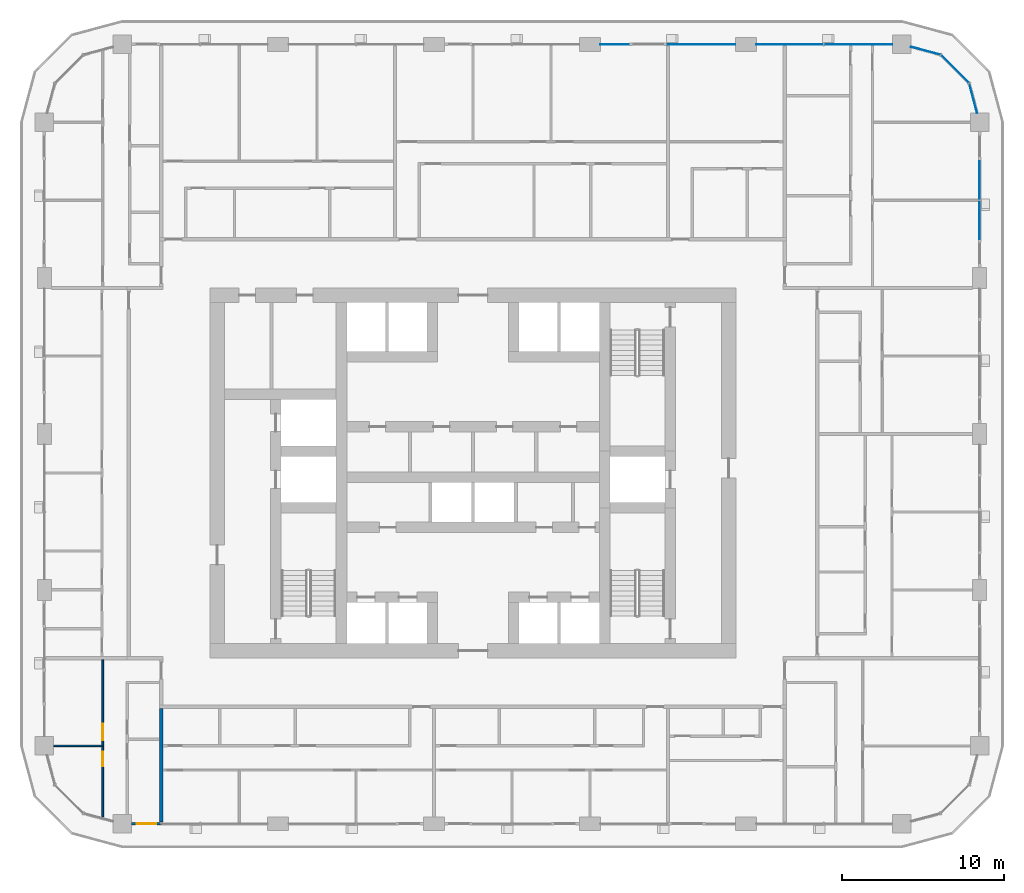
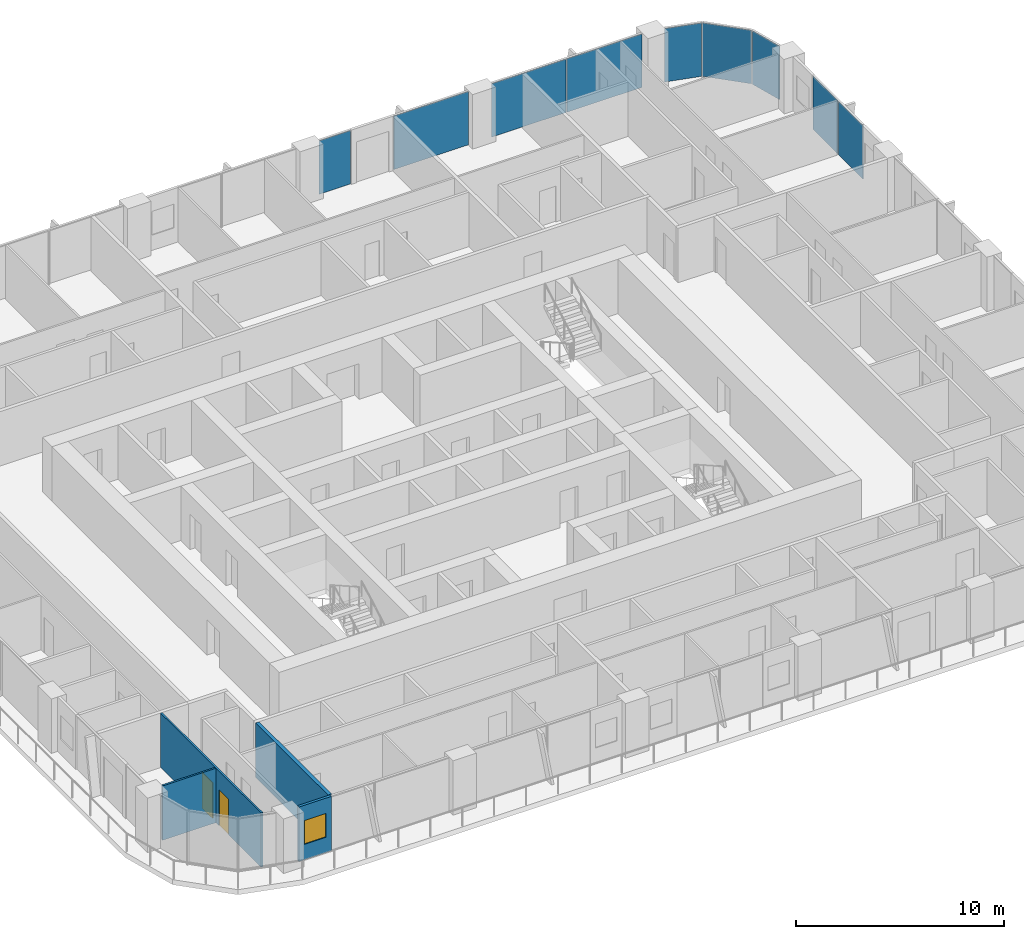
# One storey, part 8 of 21: 9 plates, 4 walls, 2 doors, 1 window, 3 openings, 4 elements without a shape of their own.
"""IFC4 building model written with IfcOpenShell, lengths in metres."""

from ifc_helpers import new_model, si_unit, direction, frame, frame_2d, origin, origin_2d, place, context, subcontext, project, spatial, rectangle, extrude, material, layer, layer_set, type_object, element, fill, aggregate, save


model = new_model("IFC4")

# Units and contexts
model_context = context("Model", 3, precision=1e-05, world=origin(), true_north=direction((0.0, 1.0)))
body_context = subcontext(model_context, "Body", "Model", "MODEL_VIEW")
ifc_project = project(units=[si_unit("LENGTHUNIT", "METRE"), si_unit("AREAUNIT", "SQUARE_METRE"), si_unit("VOLUMEUNIT", "CUBIC_METRE"), si_unit("PLANEANGLEUNIT", "RADIAN"), si_unit("MASSUNIT", "GRAM", prefix="KILO")], contexts=[model_context])

# Site, building, storey
site_placement = place(None, origin())
site = spatial("IfcSite", under=ifc_project, at=site_placement, CompositionType="ELEMENT")
building_placement = place(site_placement, origin())
building = spatial("IfcBuilding", under=site, at=building_placement, Name="Madar Terraces", CompositionType="ELEMENT")
storey_placement = place(building_placement, frame((0.0, 0.0, 92.699951171875)))
storey = spatial("IfcBuildingStorey", under=building, at=storey_placement, Name="L23", CompositionType="ELEMENT", Elevation=92.699951171875)

# Curtain wall, plates
ifc_material_1 = material(Name="Glass, ceramic frit dark grey, with black aluminium frame", Category="aluminium")
ifc_layer_1 = layer(ifc_material_1, 0.199951171875)
ifc_layer_set_1 = layer_set([ifc_layer_1], Name="Facade curtain wall, fritted glass")
curtain_wall_type = type_object("IfcCurtainWallType", Name="Facade curtain wall, fritted glass", PredefinedType="NOTDEFINED", material=ifc_layer_set_1)
curtain_wall_1_placement = place(storey_placement, origin())
curtain_wall_1 = element("IfcCurtainWall", 1, at=curtain_wall_1_placement, inside=storey, type_object=curtain_wall_type, Name="Outer skin curtain wall east bay 4", PredefinedType="NOTDEFINED")
ifc_material_2 = material(Name="Glass, ceramic frit dark grey", Category="glass")
ifc_layer_2 = layer(ifc_material_2, 0.028076171875)
ifc_layer_set_2 = layer_set([ifc_layer_2], Name="Facade glass panel 28")
plate_type = type_object("IfcPlateType", Name="Facade glass panel 28", PredefinedType="CURTAIN_PANEL", material=ifc_layer_set_2)
plate_1_placement = place(storey_placement, frame((62.39990234375, 41.985107421875, 0.0), z_axis=(0.0, 0.0, 1.0), x_axis=(0.0, 1.0, 0.0)))
plate_1 = element("IfcPlate", 2, at=plate_1_placement, type_object=plate_type, Name="Panel 1", PredefinedType="CURTAIN_PANEL", context=body_context, shape_type="SweptSolid", body=[
    extrude(rectangle(XDim=2.3701171875, YDim=0.028076171875, at=origin_2d()), origin(), (0.0, 0.0, 1.0), 3.139892578125),
])
plate_2_placement = place(storey_placement, frame((62.39990234375, 44.4150390625, 0.0), z_axis=(0.0, 0.0, 1.0), x_axis=(0.0, 1.0, 0.0)))
plate_2 = element("IfcPlate", 3, at=plate_2_placement, type_object=plate_type, Name="Panel 2", PredefinedType="CURTAIN_PANEL", context=body_context, shape_type="SweptSolid", body=[
    extrude(rectangle(XDim=2.3701171875, YDim=0.028076171875, at=origin_2d()), origin(), (0.0, 0.0, 1.0), 3.139892578125),
])
aggregate(curtain_wall_1, [plate_1, plate_2])

curtain_wall_2_placement = place(storey_placement, origin())
curtain_wall_2 = element("IfcCurtainWall", 4, at=curtain_wall_2_placement, inside=storey, type_object=curtain_wall_type, Name="Outer skin curtain wall north bay 1", PredefinedType="NOTDEFINED")
plate_3_placement = place(storey_placement, frame((54.927490234375, 52.800048828125, 0.0), z_axis=(0.0, 0.0, 1.0), x_axis=(-1.0, 0.0, 0.0)))
plate_3 = element("IfcPlate", 5, at=plate_3_placement, type_object=plate_type, Name="Panel 1", PredefinedType="CURTAIN_PANEL", context=body_context, shape_type="SweptSolid", body=[
    extrude(rectangle(XDim=4.195068359375, YDim=0.028076171875, at=origin_2d()), origin(), (0.0, 0.0, 1.0), 3.139892578125),
])
plate_4_placement = place(storey_placement, frame((50.7099609375, 52.800048828125, 0.0), z_axis=(0.0, 0.0, 1.0), x_axis=(-1.0, 0.0, 0.0)))
plate_4 = element("IfcPlate", 6, at=plate_4_placement, type_object=plate_type, Name="Panel 2", PredefinedType="CURTAIN_PANEL", context=body_context, shape_type="SweptSolid", body=[
    extrude(rectangle(XDim=4.1201171875, YDim=0.028076171875, at=origin_2d()), origin(), (0.0, 0.0, 1.0), 3.139892578125),
])
aggregate(curtain_wall_2, [plate_3, plate_4])

curtain_wall_3_placement = place(storey_placement, origin())
curtain_wall_3 = element("IfcCurtainWall", 7, at=curtain_wall_3_placement, inside=storey, type_object=curtain_wall_type, Name="Outer skin curtain wall north bay 2", PredefinedType="NOTDEFINED")
plate_5_placement = place(storey_placement, frame((45.27490234375, 52.800048828125, 0.0), z_axis=(0.0, 0.0, 1.0), x_axis=(-1.0, 0.0, 0.0)))
plate_5 = element("IfcPlate", 8, at=plate_5_placement, type_object=plate_type, Name="Panel 1", PredefinedType="CURTAIN_PANEL", context=body_context, shape_type="SweptSolid", body=[
    extrude(rectangle(XDim=4.14990234375, YDim=0.028076171875, at=origin_2d()), origin(), (0.0, 0.0, 1.0), 3.139892578125),
])
plate_6_placement = place(storey_placement, frame((39.925048828125, 52.800048828125, 0.0), z_axis=(0.0, 0.0, 1.0), x_axis=(-1.0, 0.0, 0.0)))
plate_6 = element("IfcPlate", 9, at=plate_6_placement, type_object=plate_type, Name="Panel 2", PredefinedType="CURTAIN_PANEL", context=body_context, shape_type="SweptSolid", body=[
    extrude(rectangle(XDim=1.75, YDim=0.028076171875, at=origin_2d()), origin(), (0.0, 0.0, 1.0), 3.139892578125),
])
aggregate(curtain_wall_3, [plate_5, plate_6])

curtain_wall_4_placement = place(storey_placement, origin())
curtain_wall_4 = element("IfcCurtainWall", 10, at=curtain_wall_4_placement, inside=storey, type_object=curtain_wall_type, Name="Outer skin curtain wall north-east corner", PredefinedType="NOTDEFINED")
plate_7_placement = place(storey_placement, frame((62.00537109375, 49.472900390625, 0.0), z_axis=(0.0, 0.0, 1.0), x_axis=(-0.258819021888, 0.965925832509, 0.0)))
plate_7 = element("IfcPlate", 11, at=plate_7_placement, type_object=plate_type, Name="Panel 1", PredefinedType="CURTAIN_PANEL", context=body_context, shape_type="SweptSolid", body=[
    extrude(rectangle(XDim=1.859375, YDim=0.028076171875, at=origin_2d()), origin(), (0.0, 0.0, 1.0), 3.139892578125),
])
plate_8_placement = place(storey_placement, frame((60.87841796875, 51.278564453125, 0.0), z_axis=(0.0, 0.0, 1.0), x_axis=(-0.707106781187, 0.707106781187, 0.0)))
plate_8 = element("IfcPlate", 12, at=plate_8_placement, type_object=plate_type, Name="Panel 2", PredefinedType="CURTAIN_PANEL", context=body_context, shape_type="SweptSolid", body=[
    extrude(rectangle(XDim=2.424560546875, YDim=0.028076171875, at=origin_2d()), origin(), (0.0, 0.0, 1.0), 3.139892578125),
])
plate_9_placement = place(storey_placement, frame((59.072998046875, 52.4052734375, 0.0), z_axis=(0.0, 0.0, 1.0), x_axis=(-0.965925832509, 0.258819021888, 0.0)))
plate_9 = element("IfcPlate", 13, at=plate_9_placement, type_object=plate_type, Name="Panel 3", PredefinedType="CURTAIN_PANEL", context=body_context, shape_type="SweptSolid", body=[
    extrude(rectangle(XDim=1.859375, YDim=0.028076171875, at=origin_2d()), origin(), (0.0, 0.0, 1.0), 3.139892578125),
])
aggregate(curtain_wall_4, [plate_7, plate_8, plate_9])

# Wall, opening, window
ifc_material_3 = material(Name="Aluminium composite panel, black, over insulated backing", Category="aluminium")
ifc_layer_3 = layer(ifc_material_3, 0.14990234375)
ifc_layer_set_3 = layer_set([ifc_layer_3], Name="Facade bay panel 150")
wall_type_1 = type_object("IfcWallType", Name="Facade bay panel 150", PredefinedType="SOLIDWALL", material=ifc_layer_set_3)
wall_1_placement = place(storey_placement, frame((10.175048828125, 4.800048828125, 0.0), z_axis=(0.0, 0.0, 1.0), x_axis=(1.0, 0.0, 0.0)))
wall_1 = element("IfcWall", 14, at=wall_1_placement, inside=storey, type_object=wall_type_1, Name="Facade bay panel", PredefinedType="SOLIDWALL", context=body_context, shape_type="SweptSolid", body=[
    extrude(rectangle(XDim=1.824951171875, YDim=0.14990234375, at=frame_2d((0.91259765625, 0.0))), origin(), (0.0, 0.0, 1.0), 3.199951171875),
])
opening_1_placement = place(wall_1_placement, frame((0.3125, 0.0, 0.89990234375)))
opening_1 = element("IfcOpeningElement", 15, at=opening_1_placement, cuts=wall_1, Name="Opening W1", PredefinedType="OPENING", context=body_context, shape_type="SweptSolid", body=[
    extrude(rectangle(XDim=1.199951171875, YDim=1.39990234375, at=frame_2d((0.60009765625, 0.699951171875))), frame((0.0, 0.0849609375, 0.0), z_axis=(0.0, -1.0, 0.0), x_axis=(1.0, 0.0, 0.0)), (0.0, 0.0, 1.0), 0.169921875),
])
ifc_material_4 = material(Name="Glass, clear, with black aluminium frame", Category="aluminium")
window_type = type_object("IfcWindowType", Name="Vent window 1200 x 1400", PartitioningType="SINGLE_PANEL", PredefinedType="WINDOW", material=ifc_material_4)
window_placement = place(opening_1_placement, origin())
window = element("IfcWindow", 16, at=window_placement, inside=storey, type_object=window_type, Name="Operable vent window", OverallHeight=1.39990234375, OverallWidth=1.199951171875, PartitioningType="SINGLE_PANEL", PredefinedType="WINDOW", context=body_context, shape_type="SweptSolid", body=[
    extrude(rectangle(XDim=1.199951171875, YDim=1.39990234375, at=frame_2d((0.60009765625, 0.699951171875))), frame((0.0, 0.030029296875, 0.0), z_axis=(0.0, -1.0, 0.0), x_axis=(1.0, 0.0, 0.0)), (0.0, 0.0, 1.0), 0.06005859375),
])
fill(opening_1, window)

# Wall
ifc_material_5 = material(Name="Gypsum board on steel studs", Category="steel")
ifc_layer_4 = layer(ifc_material_5, 0.10009765625)
ifc_layer_set_4 = layer_set([ifc_layer_4], Name="Flat partition 100")
wall_type_2 = type_object("IfcWallType", Name="Flat partition 100", PredefinedType="PARTITIONING", material=ifc_layer_set_4)
wall_2_placement = place(storey_placement, frame((8.35009765625, 9.60009765625, 0.0), z_axis=(0.0, 0.0, 1.0), x_axis=(-1.0, 0.0, 0.0)))
element("IfcWall", 17, at=wall_2_placement, inside=storey, type_object=wall_type_2, Name="Flat partition 100", PredefinedType="PARTITIONING", context=body_context, shape_type="SweptSolid", body=[
    extrude(rectangle(XDim=2.97509765625, YDim=0.10009765625, at=frame_2d((1.487548828125, 0.0))), origin(), (0.0, 0.0, 1.0), 3.199951171875),
])

# Wall, openings, doors
wall_3_placement = place(storey_placement, frame((8.39990234375, 5.221435546875, 0.0), z_axis=(0.0, 0.0, 1.0), x_axis=(0.0, 1.0, 0.0)))
wall_3 = element("IfcWall", 18, at=wall_3_placement, inside=storey, type_object=wall_type_2, Name="Flat partition 100", PredefinedType="PARTITIONING", context=body_context, shape_type="SweptSolid", body=[
    extrude(rectangle(XDim=9.678466796875, YDim=0.10009765625, at=frame_2d((4.83935546875, 0.0))), origin(), (0.0, 0.0, 1.0), 3.199951171875),
])
opening_2_placement = place(wall_3_placement, frame((4.728515625, 0.0, 0.0)))
opening_2 = element("IfcOpeningElement", 19, at=opening_2_placement, cuts=wall_3, Name="Opening D3", PredefinedType="OPENING", context=body_context, shape_type="SweptSolid", body=[
    extrude(rectangle(XDim=1.0, YDim=2.10009765625, at=frame_2d((0.5, 1.050048828125))), frame((0.0, 0.06005859375, 0.0), z_axis=(0.0, -1.0, 0.0), x_axis=(1.0, 0.0, 0.0)), (0.0, 0.0, 1.0), 0.1201171875),
])
opening_3_placement = place(wall_3_placement, frame((3.12841796875, 0.0, 0.0)))
opening_3 = element("IfcOpeningElement", 20, at=opening_3_placement, cuts=wall_3, Name="Opening D2", PredefinedType="OPENING", context=body_context, shape_type="SweptSolid", body=[
    extrude(rectangle(XDim=0.89990234375, YDim=2.10009765625, at=frame_2d((0.449951171875, 1.050048828125))), frame((0.0, 0.06005859375, 0.0), z_axis=(0.0, -1.0, 0.0), x_axis=(1.0, 0.0, 0.0)), (0.0, 0.0, 1.0), 0.1201171875),
])
ifc_material_6 = material(Name="Timber door leaf", Category="wood")
door_type_1 = type_object("IfcDoorType", Name="Flat living room door 1000", OperationType="NOTDEFINED", PredefinedType="DOOR", material=ifc_material_6)
door_1_placement = place(opening_2_placement, origin())
door_1 = element("IfcDoor", 21, at=door_1_placement, inside=storey, type_object=door_type_1, Name="Flat living room door 1000", OperationType="SINGLE_SWING_LEFT", OverallHeight=2.10009765625, OverallWidth=1.0, PredefinedType="DOOR", context=body_context, shape_type="SweptSolid", body=[
    extrude(rectangle(XDim=1.0, YDim=2.10009765625, at=frame_2d((0.5, 1.050048828125))), frame((0.0, 0.02490234375, 0.0), z_axis=(0.0, -1.0, 0.0), x_axis=(1.0, 0.0, 0.0)), (0.0, 0.0, 1.0), 0.050048828125),
])
fill(opening_2, door_1)
ifc_material_7 = material(Name="Timber door leaf", Category="wood")
door_type_2 = type_object("IfcDoorType", Name="Flat room door 900", OperationType="NOTDEFINED", PredefinedType="DOOR", material=ifc_material_7)
door_2_placement = place(opening_3_placement, origin())
door_2 = element("IfcDoor", 22, at=door_2_placement, inside=storey, type_object=door_type_2, Name="Flat room door 900", OperationType="SINGLE_SWING_RIGHT", OverallHeight=2.10009765625, OverallWidth=0.89990234375, PredefinedType="DOOR", context=body_context, shape_type="SweptSolid", body=[
    extrude(rectangle(XDim=0.89990234375, YDim=2.10009765625, at=frame_2d((0.449951171875, 1.050048828125))), frame((0.0, 0.02490234375, 0.0), z_axis=(0.0, -1.0, 0.0), x_axis=(1.0, 0.0, 0.0)), (0.0, 0.0, 1.0), 0.050048828125),
])
fill(opening_3, door_2)

# Wall
ifc_material_8 = material(Name="Lightweight blockwork", Category="masonry")
ifc_layer_5 = layer(ifc_material_8, 0.199951171875)
ifc_layer_set_5 = layer_set([ifc_layer_5], Name="Flat party and entrance wall 200")
wall_type_3 = type_object("IfcWallType", Name="Flat party and entrance wall 200", PredefinedType="PARTITIONING", material=ifc_layer_set_5)
wall_4_placement = place(storey_placement, frame((12.0, 4.89990234375, 0.0), z_axis=(0.0, 0.0, 1.0), x_axis=(0.0, 1.0, 0.0)))
element("IfcWall", 23, at=wall_4_placement, inside=storey, type_object=wall_type_3, Name="Flat party and entrance wall 200", PredefinedType="PARTITIONING", context=body_context, shape_type="SweptSolid", body=[
    extrude(rectangle(XDim=7.0, YDim=0.199951171875, at=frame_2d((3.5, 0.0))), origin(), (0.0, 0.0, 1.0), 3.199951171875),
])

save(model, "model.ifc")
